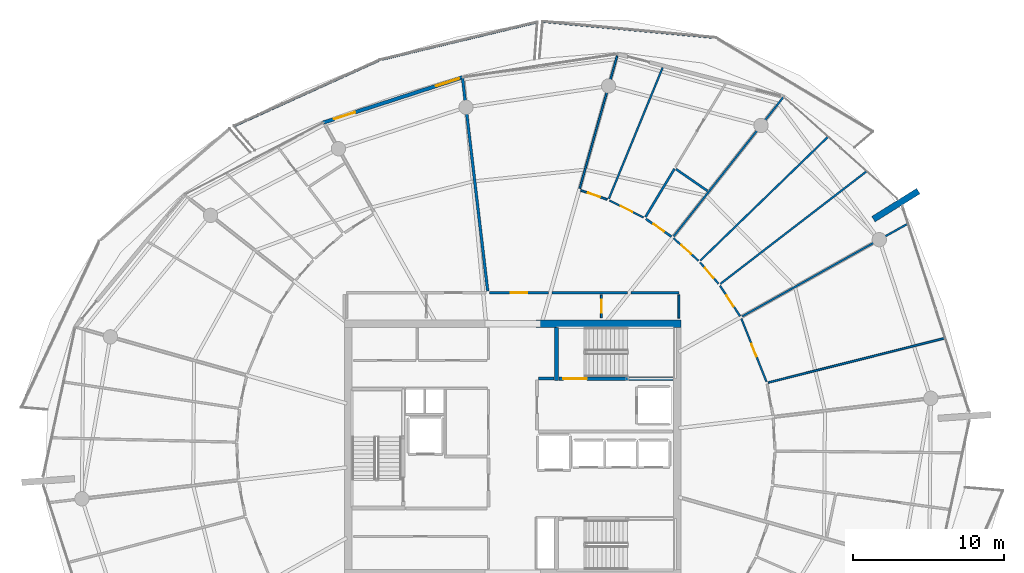
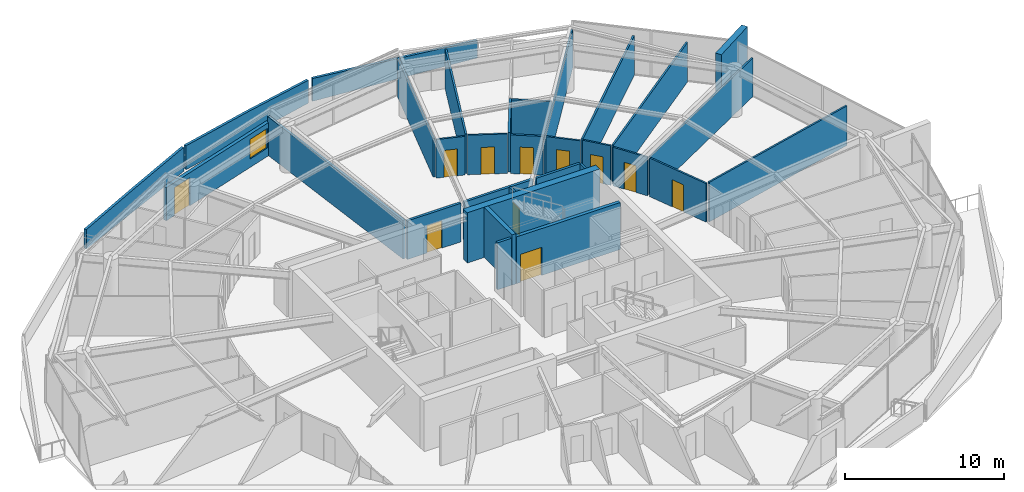
# One storey, part 22 of 30: 31 walls, 11 doors, 1 window, 12 openings.
"""IFC4 building model written with IfcOpenShell, lengths in metres."""

from ifc_helpers import new_model, si_unit, direction, frame, frame_2d, origin, place, context, subcontext, project, spatial, polyline, rectangle, outline, extrude, material, layer, layer_set, type_object, element, fill, save


model = new_model("IFC4")

# Units and contexts
model_context = context("Model", 3, precision=1e-05, world=origin(), true_north=direction((0.0, 1.0)))
body_context = subcontext(model_context, "Body", "Model", "MODEL_VIEW")
ifc_project = project(units=[si_unit("LENGTHUNIT", "METRE"), si_unit("AREAUNIT", "SQUARE_METRE"), si_unit("VOLUMEUNIT", "CUBIC_METRE"), si_unit("PLANEANGLEUNIT", "RADIAN"), si_unit("MASSUNIT", "GRAM", prefix="KILO")], contexts=[model_context])

# Site, building, storey
site_placement = place(None, origin())
site = spatial("IfcSite", under=ifc_project, at=site_placement, CompositionType="ELEMENT")
building_placement = place(site_placement, origin())
building = spatial("IfcBuilding", under=site, at=building_placement, Name="Kazma Halo Residences", CompositionType="ELEMENT")
storey_placement = place(building_placement, frame((0.0, 0.0, 279.050048828125)))
storey = spatial("IfcBuildingStorey", under=building, at=storey_placement, Name="L70", CompositionType="ELEMENT", Elevation=279.050048828125)

# Walls
ifc_material_1 = material(Name="White Concrete C50/60 Balustrade", Category="concrete")
ifc_layer_1 = layer(ifc_material_1, 0.179931640625)
ifc_layer_set_1 = layer_set([ifc_layer_1], Name="White Concrete C50/60 Balustrade")
wall_type_1 = type_object("IfcWallType", Name="WL-BAL-WAVE-180", PredefinedType="PARAPET", material=ifc_layer_set_1)
wall_1_placement = place(storey_placement, frame((61.733154296875, 69.19873046875, 0.0), z_axis=(0.0, 0.0, 1.0), x_axis=(-0.995673621648, 0.092919530532, 0.0)))
element("IfcWall", 1, at=wall_1_placement, inside=storey, type_object=wall_type_1, Name="L70 white wave balustrade wall NE.2", PredefinedType="PARAPET", context=body_context, shape_type="SweptSolid", body=[
    extrude(outline(polyline([(0.0, 0.0), (11.384765625, 0.0), (11.384765625, 1.7470703125), (5.6923828125, 1.56201171875), (0.0, 1.347900390625), (0.0, 0.0)])), frame((0.0, 0.08984375, 0.0), z_axis=(0.0, -1.0, 0.0), x_axis=(1.0, 0.0, 0.0)), (0.0, 0.0, 1.0), 0.179931640625),
])
wall_2_placement = place(storey_placement, frame((50.047607421875, 70.219482421875, 0.0), z_axis=(0.0, 0.0, 1.0), x_axis=(-0.972325059784, -0.233632142729, 0.0)))
element("IfcWall", 2, at=wall_2_placement, inside=storey, type_object=wall_type_1, Name="L70 white wave balustrade wall NNW.1", PredefinedType="PARAPET", context=body_context, shape_type="SweptSolid", body=[
    extrude(outline(polyline([(0.0, 0.0), (10.580322265625, 0.0), (10.580322265625, 1.83203125), (5.290283203125, 1.85302734375), (0.0, 1.755859375), (0.0, 0.0)])), frame((0.0, 0.08984375, 0.0), z_axis=(0.0, -1.0, 0.0), x_axis=(1.0, 0.0, 0.0)), (0.0, 0.0, 1.0), 0.179931640625),
])
wall_3_placement = place(storey_placement, frame((39.533935546875, 67.670166015625, 0.0), z_axis=(0.0, 0.0, 1.0), x_axis=(-0.910900469726, -0.412626143444, 0.0)))
element("IfcWall", 3, at=wall_3_placement, inside=storey, type_object=wall_type_1, Name="L70 white wave balustrade wall NNW.2", PredefinedType="PARAPET", context=body_context, shape_type="SweptSolid", body=[
    extrude(outline(polyline([(0.0, 0.0), (10.4755859375, 0.0), (10.4755859375, 1.4970703125), (5.23779296875, 1.696044921875), (0.0, 1.83203125), (0.0, 0.0)])), frame((0.0, 0.08984375, 0.0), z_axis=(0.0, -1.0, 0.0), x_axis=(1.0, 0.0, 0.0)), (0.0, 0.0, 1.0), 0.179931640625),
])
ifc_material_2 = material(Name="Pale Concrete C60/75", Category="concrete")
ifc_layer_2 = layer(ifc_material_2, 0.419921875)
ifc_layer_set_2 = layer_set([ifc_layer_2], Name="Pale Concrete C60/75")
wall_type_2 = type_object("IfcWallType", Name="WL-BLADE-420", PredefinedType="SOLIDWALL", material=ifc_layer_set_2)
wall_4_placement = place(storey_placement, frame((72.281494140625, 57.172607421875, 0.0), z_axis=(0.0, 0.0, 1.0), x_axis=(0.848033572426, 0.529942506352, 0.0)))
element("IfcWall", 4, at=wall_4_placement, inside=storey, type_object=wall_type_2, Name="L70 pale concrete structural blade fin wall BW-01", PredefinedType="SOLIDWALL", context=body_context, shape_type="SweptSolid", body=[
    extrude(rectangle(XDim=3.5, YDim=0.419921875, at=frame_2d((1.75, 0.0))), origin(), (0.0, 0.0, 1.0), 3.849853515625),
])
ifc_material_3 = material(Name="Concrete C60/75", Category="concrete")
ifc_layer_3 = layer(ifc_material_3, 0.5)
ifc_layer_set_3 = layer_set([ifc_layer_3], Name="Concrete C60/75")
wall_type_3 = type_object("IfcWallType", Name="WL-CORE-500", PredefinedType="SHEAR", material=ifc_layer_set_3)
wall_5_placement = place(storey_placement, frame((49.949951171875, 50.25, 0.0), z_axis=(0.0, 0.0, 1.0), x_axis=(1.0, 0.0, 0.0)))
element("IfcWall", 5, at=wall_5_placement, inside=storey, type_object=wall_type_3, Name="L70 central core shear wall NE", PredefinedType="SHEAR", context=body_context, shape_type="SweptSolid", body=[
    extrude(rectangle(XDim=9.60009765625, YDim=0.5, at=frame_2d((4.800048828125, 0.0))), origin(), (0.0, 0.0, 1.0), 3.849853515625),
])
ifc_layer_4 = layer(ifc_material_3, 0.280029296875)
ifc_layer_set_4 = layer_set([ifc_layer_4], Name="Concrete C60/75")
wall_type_4 = type_object("IfcWallType", Name="WL-CORE-ST-280", PredefinedType="SHEAR", material=ifc_layer_set_4)
wall_6_placement = place(storey_placement, frame((51.31005859375, 46.5, 0.0), z_axis=(0.0, 0.0, 1.0), x_axis=(0.0, 1.0, 0.0)))
element("IfcWall", 6, at=wall_6_placement, inside=storey, type_object=wall_type_4, Name="L70 stairwell bearing wall ST02-W", PredefinedType="SHEAR", context=body_context, shape_type="SweptSolid", body=[
    extrude(rectangle(XDim=3.5, YDim=0.280029296875, at=frame_2d((1.75, 0.0))), origin(), (0.0, 0.0, 1.0), 3.849853515625),
])
ifc_material_4 = material(Name="Acoustic Twin-Stud Gypsum")
ifc_layer_5 = layer(ifc_material_4, 0.179931640625)
ifc_layer_set_5 = layer_set([ifc_layer_5], Name="Acoustic Twin-Stud Gypsum")
wall_type_5 = type_object("IfcWallType", Name="WL-DEM-180", PredefinedType="PARTITIONING", material=ifc_layer_set_5)
wall_7_placement = place(storey_placement, frame((46.76806640625, 52.4091796875, 0.0), z_axis=(0.0, 0.0, 1.0), x_axis=(-0.117545848714, 0.993067456646, 0.0)))
element("IfcWall", 7, at=wall_7_placement, inside=storey, type_object=wall_type_5, Name="L70 apartment demising radial wall 03", PredefinedType="PARTITIONING", context=body_context, shape_type="SweptSolid", body=[
    extrude(rectangle(XDim=14.212890625, YDim=0.179931640625, at=frame_2d((7.1064453125, 0.0))), origin(), (0.0, 0.0, 1.0), 2.95703125),
])

# Wall, opening, door
wall_8_placement = place(storey_placement, frame((50.784912109375, 52.300048828125, 0.0), z_axis=(0.0, 0.0, 1.0), x_axis=(-1.0, 0.0, 0.0)))
wall_8 = element("IfcWall", 8, at=wall_8_placement, inside=storey, type_object=wall_type_5, Name="L70 Apartment 4 entrance corridor wall", PredefinedType="PARTITIONING", context=body_context, shape_type="SweptSolid", body=[
    extrude(rectangle(XDim=3.884033203125, YDim=0.179931640625, at=frame_2d((1.94189453125, 0.0))), origin(), (0.0, 0.0, 1.0), 2.95703125),
])
opening_1_placement = place(wall_8_placement, frame((1.39208984375, 0.0, 0.0)))
opening_1 = element("IfcOpeningElement", 9, at=opening_1_placement, cuts=wall_8, Name="Opening DA-1100", PredefinedType="OPENING", context=body_context, shape_type="SweptSolid", body=[
    extrude(rectangle(XDim=1.10009765625, YDim=2.10009765625, at=frame_2d((0.550048828125, 1.050048828125))), frame((0.0, 0.099853515625, 0.0), z_axis=(0.0, -1.0, 0.0), x_axis=(1.0, 0.0, 0.0)), (0.0, 0.0, 1.0), 0.199951171875),
])
ifc_material_5 = material(Name="Acoustic Walnut Fire Leaf")
door_type_1 = type_object("IfcDoorType", Name="DR-FD60-1100", OperationType="NOTDEFINED", PredefinedType="DOOR", material=ifc_material_5)
door_1_placement = place(opening_1_placement, origin())
door_1 = element("IfcDoor", 10, at=door_1_placement, inside=storey, type_object=door_type_1, Name="L70 Apartment 4 entrance fire door", OperationType="SINGLE_SWING_LEFT", OverallHeight=2.10009765625, OverallWidth=1.10009765625, PredefinedType="DOOR", context=body_context, shape_type="SweptSolid", body=[
    extrude(rectangle(XDim=1.10009765625, YDim=2.10009765625, at=frame_2d((0.550048828125, 1.050048828125))), frame((0.0, 0.02490234375, 0.0), z_axis=(0.0, -1.0, 0.0), x_axis=(1.0, 0.0, 0.0)), (0.0, 0.0, 1.0), 0.050048828125),
])
fill(opening_1, door_1)

# Walls
wall_9_placement = place(storey_placement, frame((59.429931640625, 52.300048828125, 0.0), z_axis=(0.0, 0.0, 1.0), x_axis=(-1.0, 0.0, 0.0)))
element("IfcWall", 11, at=wall_9_placement, inside=storey, type_object=wall_type_5, Name="L70 Apartment 4 inner wall 0", PredefinedType="PARTITIONING", context=body_context, shape_type="SweptSolid", body=[
    extrude(rectangle(XDim=3.18994140625, YDim=0.179931640625, at=frame_2d((1.594970703125, 0.0))), origin(), (0.0, 0.0, 1.0), 2.95703125),
])
wall_10_placement = place(storey_placement, frame((56.0, 52.300048828125, 0.0), z_axis=(0.0, 0.0, 1.0), x_axis=(-1.0, 0.0, 0.0)))
element("IfcWall", 12, at=wall_10_placement, inside=storey, type_object=wall_type_5, Name="L70 Apartment 4 inner wall 1", PredefinedType="PARTITIONING", context=body_context, shape_type="SweptSolid", body=[
    extrude(rectangle(XDim=4.97509765625, YDim=0.179931640625, at=frame_2d((2.487548828125, 0.0))), origin(), (0.0, 0.0, 1.0), 2.95703125),
])

# Wall, openings, door, window
ifc_material_6 = material(Name="Insulated Pale-Metal Composite Wall")
ifc_layer_6 = layer(ifc_material_6, 0.239990234375)
ifc_layer_set_6 = layer_set([ifc_layer_6], Name="Insulated Pale-Metal Composite Wall")
wall_type_6 = type_object("IfcWallType", Name="WL-EXT-HOST-240", PredefinedType="SOLIDWALL", material=ifc_layer_set_6)
wall_11_placement = place(storey_placement, frame((45.14208984375, 66.563720703125, 0.0), z_axis=(0.0, 0.0, 1.0), x_axis=(-0.951055974609, -0.309018661507, 0.0)))
wall_11 = element("IfcWall", 13, at=wall_11_placement, inside=storey, type_object=wall_type_6, Name="L70 exterior terrace-access wall B04", PredefinedType="SOLIDWALL", context=body_context, shape_type="SweptSolid", body=[
    extrude(rectangle(XDim=9.745361328125, YDim=0.239990234375, at=frame_2d((4.87255859375, 0.0))), origin(), (0.0, 0.0, 1.0), 2.5400390625),
])
opening_2_placement = place(wall_11_placement, frame((7.525390625, 0.0, 0.0)))
opening_2 = element("IfcOpeningElement", 14, at=opening_2_placement, cuts=wall_11, Name="Opening DTR-1600", PredefinedType="OPENING", context=body_context, shape_type="SweptSolid", body=[
    extrude(rectangle(XDim=1.449951171875, YDim=2.14990234375, at=frame_2d((0.72509765625, 1.074951171875))), frame((0.0, 0.1298828125, 0.0), z_axis=(0.0, -1.0, 0.0), x_axis=(1.0, 0.0, 0.0)), (0.0, 0.0, 1.0), 0.260009765625),
])
opening_3_placement = place(wall_11_placement, frame((0.280029296875, 0.0, 0.64990234375)))
opening_3 = element("IfcOpeningElement", 15, at=opening_3_placement, cuts=wall_11, Name="Opening W-1800", PredefinedType="OPENING", context=body_context, shape_type="SweptSolid", body=[
    extrude(rectangle(XDim=1.60009765625, YDim=1.5, at=frame_2d((0.800048828125, 0.75))), frame((0.0, 0.1298828125, 0.0), z_axis=(0.0, -1.0, 0.0), x_axis=(1.0, 0.0, 0.0)), (0.0, 0.0, 1.0), 0.260009765625),
])
ifc_material_7 = material(Name="Aluminium AW-6063 T6 Double-Glazed Terrace Door", Category="aluminium")
door_type_2 = type_object("IfcDoorType", Name="DR-EXT-TERR-1600", OperationType="NOTDEFINED", PredefinedType="DOOR", material=ifc_material_7)
door_2_placement = place(opening_2_placement, origin())
door_2 = element("IfcDoor", 16, at=door_2_placement, inside=storey, type_object=door_type_2, Name="L70 B04 balcony terrace door", OperationType="DOUBLE_DOOR_SLIDING", OverallHeight=2.14990234375, OverallWidth=1.449951171875, PredefinedType="DOOR", context=body_context, shape_type="SweptSolid", body=[
    extrude(rectangle(XDim=1.449951171875, YDim=2.14990234375, at=frame_2d((0.72509765625, 1.074951171875))), frame((0.0, 0.02490234375, 0.0), z_axis=(0.0, -1.0, 0.0), x_axis=(1.0, 0.0, 0.0)), (0.0, 0.0, 1.0), 0.050048828125),
])
fill(opening_2, door_2)
ifc_material_8 = material(Name="Clear Triple-Silver Low-E Glass in Aluminium AW-6063 T6 Frame", Category="aluminium")
window_type = type_object("IfcWindowType", Name="WIN-RES-1800", PartitioningType="DOUBLE_PANEL_VERTICAL", PredefinedType="WINDOW", material=ifc_material_8)
window_placement = place(opening_3_placement, origin())
window = element("IfcWindow", 17, at=window_placement, inside=storey, type_object=window_type, Name="L70 B04 apartment window", OverallHeight=1.5, OverallWidth=1.60009765625, PartitioningType="SINGLE_PANEL", PredefinedType="WINDOW", context=body_context, shape_type="SweptSolid", body=[
    extrude(rectangle(XDim=1.60009765625, YDim=1.5, at=frame_2d((0.800048828125, 0.75))), frame((0.0, 0.030029296875, 0.0), z_axis=(0.0, -1.0, 0.0), x_axis=(1.0, 0.0, 0.0)), (0.0, 0.0, 1.0), 0.06005859375),
])
fill(opening_3, window)

# Walls
ifc_material_9 = material(Name="Fire-Rated Blockwork Masonry", Category="masonry")
ifc_layer_7 = layer(ifc_material_9, 0.199951171875)
ifc_layer_set_7 = layer_set([ifc_layer_7], Name="Fire-Rated Blockwork Masonry")
wall_type_7 = type_object("IfcWallType", Name="WL-FLB-200", PredefinedType="PARTITIONING", material=ifc_layer_set_7)
wall_12_placement = place(storey_placement, frame((50.139892578125, 46.6201171875, 0.0), z_axis=(0.0, 0.0, 1.0), x_axis=(1.0, 0.0, 0.0)))
element("IfcWall", 18, at=wall_12_placement, inside=storey, type_object=wall_type_7, Name="L70 east firefighting lobby north closure wall", PredefinedType="PARTITIONING", context=body_context, shape_type="SweptSolid", body=[
    extrude(rectangle(XDim=1.02001953125, YDim=0.199951171875, at=frame_2d((0.510009765625, 0.0))), origin(), (0.0, 0.0, 1.0), 3.58984375),
])
ifc_material_10 = material(Name="Gypsum Plasterboard Partition")
ifc_layer_8 = layer(ifc_material_10, 0.125)
ifc_layer_set_8 = layer_set([ifc_layer_8], Name="Gypsum Plasterboard Partition")
wall_type_8 = type_object("IfcWallType", Name="WL-PART-125", PredefinedType="PARTITIONING", material=ifc_layer_set_8)
wall_13_placement = place(storey_placement, frame((59.409912109375, 50.6201171875, 0.0), z_axis=(0.0, 0.0, 1.0), x_axis=(0.0, 1.0, 0.0)))
element("IfcWall", 19, at=wall_13_placement, inside=storey, type_object=wall_type_8, Name="L70 east cupboard end wall", PredefinedType="PARTITIONING", context=body_context, shape_type="SweptSolid", body=[
    extrude(rectangle(XDim=1.539794921875, YDim=0.125, at=frame_2d((0.77001953125, 0.0))), origin(), (0.0, 0.0, 1.0), 3.030029296875),
])

# Wall, opening, door
wall_14_placement = place(storey_placement, frame((54.2900390625, 50.639892578125, 0.0), z_axis=(0.0, 0.0, 1.0), x_axis=(0.0, 1.0, 0.0)))
wall_14 = element("IfcWall", 20, at=wall_14_placement, inside=storey, type_object=wall_type_8, Name="L70 floor metering cupboard door wall", PredefinedType="PARTITIONING", context=body_context, shape_type="SweptSolid", body=[
    extrude(rectangle(XDim=1.52001953125, YDim=0.125, at=frame_2d((0.760009765625, 0.0))), origin(), (0.0, 0.0, 1.0), 3.030029296875),
])
opening_4_placement = place(wall_14_placement, frame((0.3349609375, 0.0, 0.0)))
opening_4 = element("IfcOpeningElement", 21, at=opening_4_placement, cuts=wall_14, Name="Opening DS-850", PredefinedType="OPENING", context=body_context, shape_type="SweptSolid", body=[
    extrude(rectangle(XDim=0.85009765625, YDim=2.06005859375, at=frame_2d((0.425048828125, 1.030029296875))), frame((0.0, 0.072509765625, 0.0), z_axis=(0.0, -1.0, 0.0), x_axis=(1.0, 0.0, 0.0)), (0.0, 0.0, 1.0), 0.14501953125),
])
ifc_material_11 = material(Name="Painted Steel Access Leaf", Category="steel")
door_type_3 = type_object("IfcDoorType", Name="DR-SVC-850", OperationType="NOTDEFINED", PredefinedType="DOOR", material=ifc_material_11)
door_3_placement = place(opening_4_placement, origin())
door_3 = element("IfcDoor", 22, at=door_3_placement, inside=storey, type_object=door_type_3, Name="L70 floor cupboard door", OperationType="SINGLE_SWING_RIGHT", OverallHeight=2.06005859375, OverallWidth=0.85009765625, PredefinedType="DOOR", context=body_context, shape_type="SweptSolid", body=[
    extrude(rectangle(XDim=0.85009765625, YDim=2.06005859375, at=frame_2d((0.425048828125, 1.030029296875))), frame((0.0, 0.02490234375, 0.0), z_axis=(0.0, -1.0, 0.0), x_axis=(1.0, 0.0, 0.0)), (0.0, 0.0, 1.0), 0.050048828125),
])
fill(opening_4, door_3)

# Wall
wall_15_placement = place(storey_placement, frame((65.325439453125, 46.361572265625, 0.0), z_axis=(0.0, 0.0, 1.0), x_axis=(0.969744227159, 0.244123194089, 0.0)))
element("IfcWall", 23, at=wall_15_placement, inside=storey, type_object=wall_type_8, Name="L70 Apartment 4 mid-bay wall 15", PredefinedType="PARTITIONING", context=body_context, shape_type="SweptSolid", body=[
    extrude(rectangle(XDim=12.046875, YDim=0.125, at=frame_2d((6.0234375, 0.0))), origin(), (0.0, 0.0, 1.0), 3.030029296875),
])

# Wall, opening, door
wall_16_placement = place(storey_placement, frame((65.20849609375, 46.413818359375, 0.0), z_axis=(0.0, 0.0, 1.0), x_axis=(-0.369574216998, 0.929201215093, 0.0)))
wall_16 = element("IfcWall", 24, at=wall_16_placement, inside=storey, type_object=wall_type_8, Name="L70 Apartment 4 Secondary Formal Dining Room hall wall", PredefinedType="PARTITIONING", context=body_context, shape_type="SweptSolid", body=[
    extrude(rectangle(XDim=4.497314453125, YDim=0.125, at=frame_2d((2.24853515625, 0.0))), origin(), (0.0, 0.0, 1.0), 2.95703125),
])
opening_5_placement = place(wall_16_placement, frame((1.798583984375, 0.0, 0.0)))
opening_5 = element("IfcOpeningElement", 25, at=opening_5_placement, cuts=wall_16, Name="Opening DI-950", PredefinedType="OPENING", context=body_context, shape_type="SweptSolid", body=[
    extrude(rectangle(XDim=0.89990234375, YDim=2.080078125, at=frame_2d((0.449951171875, 1.0400390625))), frame((0.0, 0.072509765625, 0.0), z_axis=(0.0, -1.0, 0.0), x_axis=(1.0, 0.0, 0.0)), (0.0, 0.0, 1.0), 0.14501953125),
])
ifc_material_12 = material(Name="Timber Veneer Flush Leaf", Category="wood")
door_type_4 = type_object("IfcDoorType", Name="DR-INT-950", OperationType="NOTDEFINED", PredefinedType="DOOR", material=ifc_material_12)
door_4_placement = place(opening_5_placement, origin())
door_4 = element("IfcDoor", 26, at=door_4_placement, inside=storey, type_object=door_type_4, Name="L70 Apartment 4 Secondary Formal Dining Room door", OperationType="SINGLE_SWING_LEFT", OverallHeight=2.080078125, OverallWidth=0.89990234375, PredefinedType="DOOR", context=body_context, shape_type="SweptSolid", body=[
    extrude(rectangle(XDim=0.89990234375, YDim=2.080078125, at=frame_2d((0.449951171875, 1.0400390625))), frame((0.0, 0.02490234375, 0.0), z_axis=(0.0, -1.0, 0.0), x_axis=(1.0, 0.0, 0.0)), (0.0, 0.0, 1.0), 0.050048828125),
])
fill(opening_5, door_4)

# Walls
wall_17_placement = place(storey_placement, frame((63.5966796875, 50.734619140625, 0.0), z_axis=(0.0, 0.0, 1.0), x_axis=(0.872496398583, 0.488620542404, 0.0)))
element("IfcWall", 27, at=wall_17_placement, inside=storey, type_object=wall_type_8, Name="L70 Apartment 4 radial partition 0", PredefinedType="PARTITIONING", context=body_context, shape_type="SweptSolid", body=[
    extrude(rectangle(XDim=12.5537109375, YDim=0.125, at=frame_2d((6.27685546875, 0.0))), origin(), (0.0, 0.0, 1.0), 2.95703125),
])
wall_18_placement = place(storey_placement, frame((62.159912109375, 52.894775390625, 0.0), z_axis=(0.0, 0.0, 1.0), x_axis=(0.792562115574, 0.609791187996, 0.0)))
element("IfcWall", 28, at=wall_18_placement, inside=storey, type_object=wall_type_8, Name="L70 Apartment 4 bay wall 1 0", PredefinedType="PARTITIONING", context=body_context, shape_type="SweptSolid", body=[
    extrude(rectangle(XDim=12.175537109375, YDim=0.125, at=frame_2d((6.087890625, 0.0))), origin(), (0.0, 0.0, 1.0), 3.030029296875),
])
wall_19_placement = place(storey_placement, frame((60.830078125, 54.43310546875, 0.0), z_axis=(0.0, 0.0, 1.0), x_axis=(0.718122665634, 0.69591654464, 0.0)))
element("IfcWall", 29, at=wall_19_placement, inside=storey, type_object=wall_type_8, Name="L70 Apartment 4 bay wall 2 0", PredefinedType="PARTITIONING", context=body_context, shape_type="SweptSolid", body=[
    extrude(rectangle(XDim=11.741943359375, YDim=0.125, at=frame_2d((5.87109375, 0.0))), origin(), (0.0, 0.0, 1.0), 3.030029296875),
])

# Wall, opening, door
wall_20_placement = place(storey_placement, frame((63.46533203125, 50.75244140625, 0.0), z_axis=(0.0, 0.0, 1.0), x_axis=(-0.550620168557, 0.834755910419, 0.0)))
wall_20 = element("IfcWall", 30, at=wall_20_placement, inside=storey, type_object=wall_type_8, Name="L70 Apartment 4 East Master Bedroom hall wall", PredefinedType="PARTITIONING", context=body_context, shape_type="SweptSolid", body=[
    extrude(rectangle(XDim=2.42041015625, YDim=0.125, at=frame_2d((1.210205078125, 0.0))), origin(), (0.0, 0.0, 1.0), 2.95703125),
])
opening_6_placement = place(wall_20_placement, frame((0.78515625, 0.0, 0.0)))
opening_6 = element("IfcOpeningElement", 31, at=opening_6_placement, cuts=wall_20, Name="Opening DB-900", PredefinedType="OPENING", context=body_context, shape_type="SweptSolid", body=[
    extrude(rectangle(XDim=0.85009765625, YDim=2.06005859375, at=frame_2d((0.425048828125, 1.030029296875))), frame((0.0, 0.072509765625, 0.0), z_axis=(0.0, -1.0, 0.0), x_axis=(1.0, 0.0, 0.0)), (0.0, 0.0, 1.0), 0.14501953125),
])
ifc_material_13 = material(Name="Moisture-Sealed Timber Leaf", Category="wood")
door_type_5 = type_object("IfcDoorType", Name="DR-BTH-900", OperationType="NOTDEFINED", PredefinedType="DOOR", material=ifc_material_13)
door_5_placement = place(opening_6_placement, origin())
door_5 = element("IfcDoor", 32, at=door_5_placement, inside=storey, type_object=door_type_5, Name="L70 Apartment 4 East Master Bedroom door", OperationType="SINGLE_SWING_RIGHT", OverallHeight=2.06005859375, OverallWidth=0.85009765625, PredefinedType="DOOR", context=body_context, shape_type="SweptSolid", body=[
    extrude(rectangle(XDim=0.85009765625, YDim=2.06005859375, at=frame_2d((0.425048828125, 1.030029296875))), frame((0.0, 0.02490234375, 0.0), z_axis=(0.0, -1.0, 0.0), x_axis=(1.0, 0.0, 0.0)), (0.0, 0.0, 1.0), 0.050048828125),
])
fill(opening_6, door_5)

wall_21_placement = place(storey_placement, frame((62.0361328125, 52.900390625, 0.0), z_axis=(0.0, 0.0, 1.0), x_axis=(-0.653947294886, 0.756540108329, 0.0)))
wall_21 = element("IfcWall", 33, at=wall_21_placement, inside=storey, type_object=wall_type_8, Name="L70 Apartment 4 West Dressing Wardrobe hall wall", PredefinedType="PARTITIONING", context=body_context, shape_type="SweptSolid", body=[
    extrude(rectangle(XDim=1.86328125, YDim=0.125, at=frame_2d((0.931640625, 0.0))), origin(), (0.0, 0.0, 1.0), 3.030029296875),
])
opening_7_placement = place(wall_21_placement, frame((0.506591796875, 0.0, 0.0)))
opening_7 = element("IfcOpeningElement", 34, at=opening_7_placement, cuts=wall_21, Name="Opening DB-900", PredefinedType="OPENING", context=body_context, shape_type="SweptSolid", body=[
    extrude(rectangle(XDim=0.85009765625, YDim=2.06005859375, at=frame_2d((0.425048828125, 1.030029296875))), frame((0.0, 0.072509765625, 0.0), z_axis=(0.0, -1.0, 0.0), x_axis=(1.0, 0.0, 0.0)), (0.0, 0.0, 1.0), 0.14501953125),
])
door_6_placement = place(opening_7_placement, origin())
door_6 = element("IfcDoor", 35, at=door_6_placement, inside=storey, type_object=door_type_5, Name="L70 Apartment 4 West Dressing Wardrobe door", OperationType="SINGLE_SWING_LEFT", OverallHeight=2.06005859375, OverallWidth=0.85009765625, PredefinedType="DOOR", context=body_context, shape_type="SweptSolid", body=[
    extrude(rectangle(XDim=0.85009765625, YDim=2.06005859375, at=frame_2d((0.425048828125, 1.030029296875))), frame((0.0, 0.02490234375, 0.0), z_axis=(0.0, -1.0, 0.0), x_axis=(1.0, 0.0, 0.0)), (0.0, 0.0, 1.0), 0.050048828125),
])
fill(opening_7, door_6)

wall_22_placement = place(storey_placement, frame((60.7060546875, 54.424072265625, 0.0), z_axis=(0.0, 0.0, 1.0), x_axis=(-0.742228386295, 0.670147015645, 0.0)))
wall_22 = element("IfcWall", 36, at=wall_22_placement, inside=storey, type_object=wall_type_8, Name="L70 Apartment 4 North Master Bedroom hall wall", PredefinedType="PARTITIONING", context=body_context, shape_type="SweptSolid", body=[
    extrude(rectangle(XDim=2.211669921875, YDim=0.125, at=frame_2d((1.10595703125, 0.0))), origin(), (0.0, 0.0, 1.0), 2.95703125),
])
opening_8_placement = place(wall_22_placement, frame((0.680908203125, 0.0, 0.0)))
opening_8 = element("IfcOpeningElement", 37, at=opening_8_placement, cuts=wall_22, Name="Opening DB-900", PredefinedType="OPENING", context=body_context, shape_type="SweptSolid", body=[
    extrude(rectangle(XDim=0.85009765625, YDim=2.06005859375, at=frame_2d((0.425048828125, 1.030029296875))), frame((0.0, 0.072509765625, 0.0), z_axis=(0.0, -1.0, 0.0), x_axis=(1.0, 0.0, 0.0)), (0.0, 0.0, 1.0), 0.14501953125),
])
door_7_placement = place(opening_8_placement, origin())
door_7 = element("IfcDoor", 38, at=door_7_placement, inside=storey, type_object=door_type_5, Name="L70 Apartment 4 North Master Bedroom door", OperationType="SINGLE_SWING_RIGHT", OverallHeight=2.06005859375, OverallWidth=0.85009765625, PredefinedType="DOOR", context=body_context, shape_type="SweptSolid", body=[
    extrude(rectangle(XDim=0.85009765625, YDim=2.06005859375, at=frame_2d((0.425048828125, 1.030029296875))), frame((0.0, 0.02490234375, 0.0), z_axis=(0.0, -1.0, 0.0), x_axis=(1.0, 0.0, 0.0)), (0.0, 0.0, 1.0), 0.050048828125),
])
fill(opening_8, door_7)

# Walls
wall_23_placement = place(storey_placement, frame((59.06689453125, 56.038330078125, 0.0), z_axis=(0.0, 0.0, 1.0), x_axis=(0.619097714732, 0.785313962447, 0.0)))
element("IfcWall", 39, at=wall_23_placement, inside=storey, type_object=wall_type_8, Name="L70 Apartment 4 radial partition 1", PredefinedType="PARTITIONING", context=body_context, shape_type="SweptSolid", body=[
    extrude(rectangle(XDim=11.7197265625, YDim=0.125, at=frame_2d((5.85986328125, 0.0))), origin(), (0.0, 0.0, 1.0), 2.95703125),
])
wall_24_placement = place(storey_placement, frame((52.852294921875, 59.204833984375, 0.0), z_axis=(0.0, 0.0, 1.0), x_axis=(0.271437883207, 0.962455960322, 0.0)))
element("IfcWall", 40, at=wall_24_placement, inside=storey, type_object=wall_type_8, Name="L70 Apartment 4 living radial partition 1", PredefinedType="PARTITIONING", context=body_context, shape_type="SweptSolid", body=[
    extrude(rectangle(XDim=9.108642578125, YDim=0.125, at=frame_2d((4.55419921875, 0.0))), origin(), (0.0, 0.0, 1.0), 2.95703125),
])
wall_25_placement = place(storey_placement, frame((54.7822265625, 58.52880859375, 0.0), z_axis=(0.0, 0.0, 1.0), x_axis=(0.379598680501, 0.925151253451, 0.0)))
element("IfcWall", 41, at=wall_25_placement, inside=storey, type_object=wall_type_8, Name="L70 Apartment 4 suite divider 1", PredefinedType="PARTITIONING", context=body_context, shape_type="SweptSolid", body=[
    extrude(rectangle(XDim=9.3681640625, YDim=0.125, at=frame_2d((4.68408203125, 0.0))), origin(), (0.0, 0.0, 1.0), 3.030029296875),
])

# Wall, opening, door
wall_26_placement = place(storey_placement, frame((57.076171875, 57.276611328125, 0.0), z_axis=(0.0, 0.0, 1.0), x_axis=(-0.893710536338, 0.448644042909, 0.0)))
wall_26 = element("IfcWall", 42, at=wall_26_placement, inside=storey, type_object=wall_type_8, Name="L70 Apartment 4 Outer Formal Dining Room hall wall", PredefinedType="PARTITIONING", context=body_context, shape_type="SweptSolid", body=[
    extrude(rectangle(XDim=2.52490234375, YDim=0.125, at=frame_2d((1.262451171875, 0.0))), origin(), (0.0, 0.0, 1.0), 3.030029296875),
])
opening_9_placement = place(wall_26_placement, frame((0.837646484375, 0.0, 0.0)))
opening_9 = element("IfcOpeningElement", 43, at=opening_9_placement, cuts=wall_26, Name="Opening DB-900", PredefinedType="OPENING", context=body_context, shape_type="SweptSolid", body=[
    extrude(rectangle(XDim=0.85009765625, YDim=2.06005859375, at=frame_2d((0.425048828125, 1.030029296875))), frame((0.0, 0.072509765625, 0.0), z_axis=(0.0, -1.0, 0.0), x_axis=(1.0, 0.0, 0.0)), (0.0, 0.0, 1.0), 0.14501953125),
])
door_8_placement = place(opening_9_placement, origin())
door_8 = element("IfcDoor", 44, at=door_8_placement, inside=storey, type_object=door_type_5, Name="L70 Apartment 4 Outer Formal Dining Room door", OperationType="SINGLE_SWING_RIGHT", OverallHeight=2.06005859375, OverallWidth=0.85009765625, PredefinedType="DOOR", context=body_context, shape_type="SweptSolid", body=[
    extrude(rectangle(XDim=0.85009765625, YDim=2.06005859375, at=frame_2d((0.425048828125, 1.030029296875))), frame((0.0, 0.02490234375, 0.0), z_axis=(0.0, -1.0, 0.0), x_axis=(1.0, 0.0, 0.0)), (0.0, 0.0, 1.0), 0.050048828125),
])
fill(opening_9, door_8)

wall_27_placement = place(storey_placement, frame((54.67236328125, 58.471435546875, 0.0), z_axis=(0.0, 0.0, 1.0), x_axis=(-0.945353388376, 0.326047498206, 0.0)))
wall_27 = element("IfcWall", 45, at=wall_27_placement, inside=storey, type_object=wall_type_8, Name="L70 Apartment 4 Corner Master Bedroom hall wall", PredefinedType="PARTITIONING", context=body_context, shape_type="SweptSolid", body=[
    extrude(rectangle(XDim=1.85400390625, YDim=0.125, at=frame_2d((0.927001953125, 0.0))), origin(), (0.0, 0.0, 1.0), 2.95703125),
])
opening_10_placement = place(wall_27_placement, frame((0.502197265625, 0.0, 0.0)))
opening_10 = element("IfcOpeningElement", 46, at=opening_10_placement, cuts=wall_27, Name="Opening DB-900", PredefinedType="OPENING", context=body_context, shape_type="SweptSolid", body=[
    extrude(rectangle(XDim=0.85009765625, YDim=2.06005859375, at=frame_2d((0.425048828125, 1.030029296875))), frame((0.0, 0.072509765625, 0.0), z_axis=(0.0, -1.0, 0.0), x_axis=(1.0, 0.0, 0.0)), (0.0, 0.0, 1.0), 0.14501953125),
])
door_9_placement = place(opening_10_placement, origin())
door_9 = element("IfcDoor", 47, at=door_9_placement, inside=storey, type_object=door_type_5, Name="L70 Apartment 4 Corner Master Bedroom door", OperationType="SINGLE_SWING_LEFT", OverallHeight=2.06005859375, OverallWidth=0.85009765625, PredefinedType="DOOR", context=body_context, shape_type="SweptSolid", body=[
    extrude(rectangle(XDim=0.85009765625, YDim=2.06005859375, at=frame_2d((0.425048828125, 1.030029296875))), frame((0.0, 0.02490234375, 0.0), z_axis=(0.0, -1.0, 0.0), x_axis=(1.0, 0.0, 0.0)), (0.0, 0.0, 1.0), 0.050048828125),
])
fill(opening_10, door_9)

ifc_material_14 = material(Name="Concrete C50/60", Category="concrete")
ifc_layer_9 = layer(ifc_material_14, 0.25)
ifc_layer_set_9 = layer_set([ifc_layer_9], Name="Concrete C50/60")
wall_type_9 = type_object("IfcWallType", Name="WL-SHF-250", PredefinedType="SOLIDWALL", material=ifc_layer_set_9)
wall_28_placement = place(storey_placement, frame((51.47998046875, 46.6201171875, 0.0), z_axis=(0.0, 0.0, 1.0), x_axis=(1.0, 0.0, 0.0)))
wall_28 = element("IfcWall", 48, at=wall_28_placement, inside=storey, type_object=wall_type_9, Name="L70 exit stair ST-02 enclosure wall", PredefinedType="SOLIDWALL", context=body_context, shape_type="SweptSolid", body=[
    extrude(rectangle(XDim=7.5400390625, YDim=0.25, at=frame_2d((3.77001953125, 0.0))), origin(), (0.0, 0.0, 1.0), 3.58984375),
])
opening_11_placement = place(wall_28_placement, frame((0.300048828125, 0.0, 0.0)))
opening_11 = element("IfcOpeningElement", 49, at=opening_11_placement, cuts=wall_28, Name="Opening D-ST2", PredefinedType="OPENING", context=body_context, shape_type="SweptSolid", body=[
    extrude(rectangle(XDim=1.550048828125, YDim=2.14990234375, at=frame_2d((0.77490234375, 1.074951171875))), frame((0.0, 0.135009765625, 0.0), z_axis=(0.0, -1.0, 0.0), x_axis=(1.0, 0.0, 0.0)), (0.0, 0.0, 1.0), 0.27001953125),
])
ifc_material_15 = material(Name="Fire-Rated Double Steel Leaf", Category="steel")
door_type_6 = type_object("IfcDoorType", Name="DR-FD90-1550", OperationType="NOTDEFINED", PredefinedType="DOOR", material=ifc_material_15)
door_10_placement = place(opening_11_placement, origin())
door_10 = element("IfcDoor", 50, at=door_10_placement, inside=storey, type_object=door_type_6, Name="L70 exit stair ST-02 fire door", OperationType="DOUBLE_DOOR_SINGLE_SWING", OverallHeight=2.14990234375, OverallWidth=1.550048828125, PredefinedType="DOOR", context=body_context, shape_type="SweptSolid", body=[
    extrude(rectangle(XDim=1.550048828125, YDim=2.14990234375, at=frame_2d((0.77490234375, 1.074951171875))), frame((0.0, 0.02490234375, 0.0), z_axis=(0.0, -1.0, 0.0), x_axis=(1.0, 0.0, 0.0)), (0.0, 0.0, 1.0), 0.050048828125),
])
fill(opening_11, door_10)

ifc_material_16 = material(Name="Moisture-Resistant Gypsum")
ifc_layer_10 = layer(ifc_material_16, 0.14990234375)
ifc_layer_set_10 = layer_set([ifc_layer_10], Name="Moisture-Resistant Gypsum")
wall_type_10 = type_object("IfcWallType", Name="WL-WET-150", PredefinedType="PARTITIONING", material=ifc_layer_set_10)
wall_29_placement = place(storey_placement, frame((58.922607421875, 56.0166015625, 0.0), z_axis=(0.0, 0.0, 1.0), x_axis=(-0.822841380127, 0.568271117646, 0.0)))
wall_29 = element("IfcWall", 51, at=wall_29_placement, inside=storey, type_object=wall_type_10, Name="L70 Apartment 4 South En-Suite Bathroom hall wall", PredefinedType="PARTITIONING", context=body_context, shape_type="SweptSolid", body=[
    extrude(rectangle(XDim=2.05615234375, YDim=0.14990234375, at=frame_2d((1.028076171875, 0.0))), origin(), (0.0, 0.0, 1.0), 2.95703125),
])
opening_12_placement = place(wall_29_placement, frame((0.60302734375, 0.0, 0.0)))
opening_12 = element("IfcOpeningElement", 52, at=opening_12_placement, cuts=wall_29, Name="Opening DB-900", PredefinedType="OPENING", context=body_context, shape_type="SweptSolid", body=[
    extrude(rectangle(XDim=0.85009765625, YDim=2.06005859375, at=frame_2d((0.425048828125, 1.030029296875))), frame((0.0, 0.0849609375, 0.0), z_axis=(0.0, -1.0, 0.0), x_axis=(1.0, 0.0, 0.0)), (0.0, 0.0, 1.0), 0.169921875),
])
door_11_placement = place(opening_12_placement, origin())
door_11 = element("IfcDoor", 53, at=door_11_placement, inside=storey, type_object=door_type_5, Name="L70 Apartment 4 South En-Suite Bathroom door", OperationType="SINGLE_SWING_RIGHT", OverallHeight=2.06005859375, OverallWidth=0.85009765625, PredefinedType="DOOR", context=body_context, shape_type="SweptSolid", body=[
    extrude(rectangle(XDim=0.85009765625, YDim=2.06005859375, at=frame_2d((0.425048828125, 1.030029296875))), frame((0.0, 0.02490234375, 0.0), z_axis=(0.0, -1.0, 0.0), x_axis=(1.0, 0.0, 0.0)), (0.0, 0.0, 1.0), 0.050048828125),
])
fill(opening_12, door_11)

# Walls
wall_30_placement = place(storey_placement, frame((61.30615234375, 59.0400390625, 0.0), z_axis=(0.0, 0.0, 1.0), x_axis=(-0.822824212112, 0.56829597567, 0.0)))
element("IfcWall", 54, at=wall_30_placement, inside=storey, type_object=wall_type_10, Name="L70 Apartment 4 South En-Suite Bathroom back wall", PredefinedType="PARTITIONING", context=body_context, shape_type="SweptSolid", body=[
    extrude(rectangle(XDim=2.542724609375, YDim=0.14990234375, at=frame_2d((1.271484375, 0.0))), origin(), (0.0, 0.0, 1.0), 2.95703125),
])
wall_31_placement = place(storey_placement, frame((57.202880859375, 57.313232421875, 0.0), z_axis=(0.0, 0.0, 1.0), x_axis=(0.515122954907, 0.857116293934, 0.0)))
element("IfcWall", 55, at=wall_31_placement, inside=storey, type_object=wall_type_10, Name="L70 Apartment 4 South En-Suite Bathroom side wall", PredefinedType="PARTITIONING", context=body_context, shape_type="SweptSolid", body=[
    extrude(rectangle(XDim=3.719970703125, YDim=0.14990234375, at=frame_2d((1.85986328125, 0.0))), origin(), (0.0, 0.0, 1.0), 3.030029296875),
])

save(model, "model.ifc")
